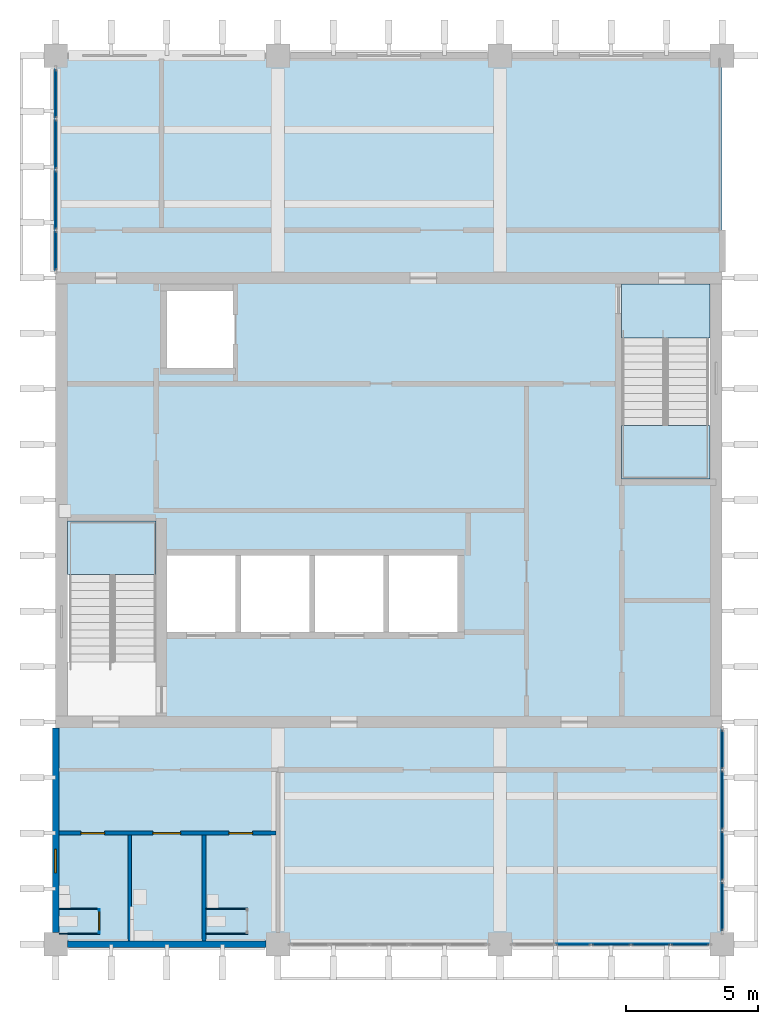
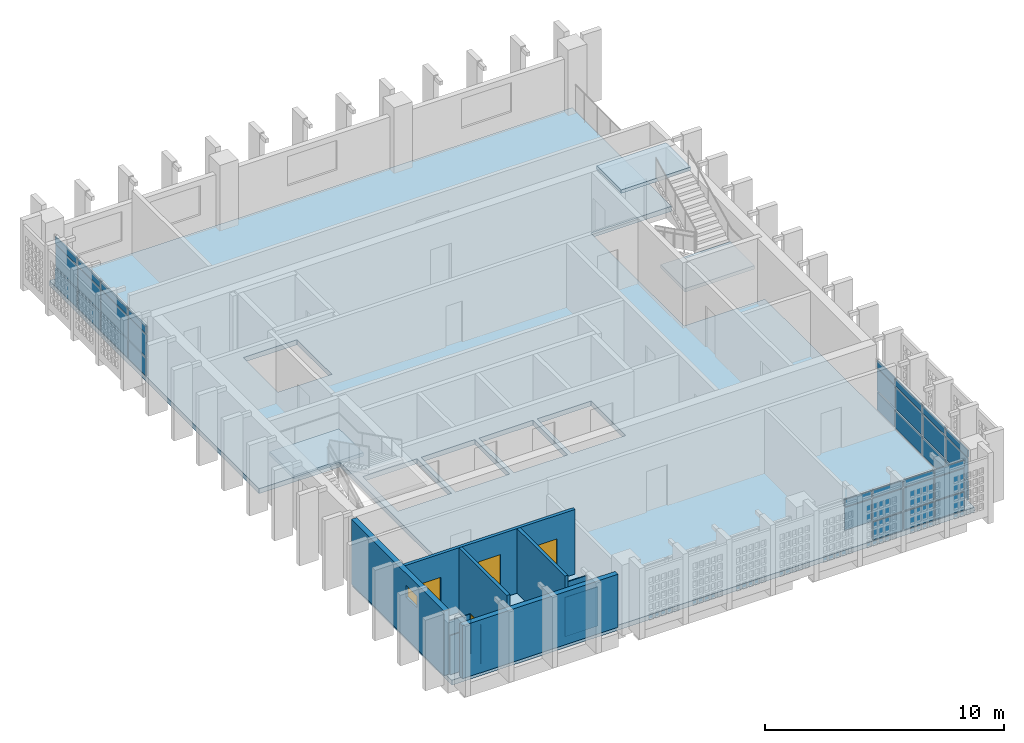
# One storey, part 4 of 13: 35 plates, 10 walls, 4 doors, 4 slabs, 1 window, 5 openings, 5 elements without a shape of their own.
"""IFC4 building model written with IfcOpenShell, lengths in metres."""

from ifc_helpers import new_model, si_unit, direction, frame, frame_2d, origin, origin_2d, place, context, subcontext, project, spatial, polyline, rectangle, outline, extrude, material, layer, layer_set, type_object, element, fill, aggregate, save


model = new_model("IFC4")

# Units and contexts
model_context = context("Model", 3, precision=1e-05, world=origin(), true_north=direction((0.0, 1.0)))
body_context = subcontext(model_context, "Body", "Model", "MODEL_VIEW")
ifc_project = project(units=[si_unit("LENGTHUNIT", "METRE"), si_unit("AREAUNIT", "SQUARE_METRE"), si_unit("VOLUMEUNIT", "CUBIC_METRE"), si_unit("PLANEANGLEUNIT", "RADIAN"), si_unit("MASSUNIT", "GRAM", prefix="KILO")], contexts=[model_context])

# Site, building, storey
site_placement = place(None, origin())
site = spatial("IfcSite", under=ifc_project, at=site_placement, CompositionType="ELEMENT")
building_placement = place(site_placement, origin())
building = spatial("IfcBuilding", under=site, at=building_placement, Name="Rulbaag Community and Learning Centre", CompositionType="ELEMENT")
storey_placement = place(building_placement, frame((0.0, 0.0, 25.199951171875)))
storey = spatial("IfcBuildingStorey", under=building, at=storey_placement, Name="L06", CompositionType="ELEMENT", Elevation=25.199951171875)

# Curtain wall, plates
ifc_material_1 = material(Name="Aluminium", Category="aluminium")
ifc_layer_1 = layer(ifc_material_1, 0.14990234375)
ifc_layer_set_1 = layer_set([ifc_layer_1], Name="CW-S")
curtain_wall_type_1 = type_object("IfcCurtainWallType", Name="CW-S", PredefinedType="USERDEFINED", material=ifc_layer_set_1)
curtain_wall_1_placement = place(storey_placement, origin())
curtain_wall_1 = element("IfcCurtainWall", 1, at=curtain_wall_1_placement, inside=storey, type_object=curtain_wall_type_1, Name="GS-L06-02", ObjectType="UNITISED CURTAIN WALL", PredefinedType="USERDEFINED")
ifc_layer_2 = layer(ifc_material_1, 0.054931640625)
ifc_layer_set_2 = layer_set([ifc_layer_2], Name="CW-S-SPN")
plate_type_1 = type_object("IfcPlateType", Name="CW-S-SPN", PredefinedType="CURTAIN_PANEL", material=ifc_layer_set_2)
plate_1_placement = place(storey_placement, frame((162.375, 84.0, 2.22998046875), z_axis=(0.0, 0.0, 1.0), x_axis=(1.0, 0.0, 0.0)))
plate_1 = element("IfcPlate", 2, at=plate_1_placement, type_object=plate_type_1, Name="GS spandrel panel", PredefinedType="CURTAIN_PANEL", context=body_context, shape_type="SweptSolid", body=[
    extrude(rectangle(XDim=1.2900390625, YDim=0.054931640625, at=origin_2d()), origin(), (0.0, 0.0, 1.0), 0.360107421875),
])
plate_2_placement = place(storey_placement, frame((163.800048828125, 84.0, 0.06005859375), z_axis=(0.0, 0.0, 1.0), x_axis=(1.0, 0.0, 0.0)))
plate_2 = element("IfcPlate", 3, at=plate_2_placement, type_object=plate_type_1, Name="GS spandrel panel", PredefinedType="CURTAIN_PANEL", context=body_context, shape_type="SweptSolid", body=[
    extrude(rectangle(XDim=1.43994140625, YDim=0.054931640625, at=origin_2d()), origin(), (0.0, 0.0, 1.0), 0.909912109375),
])
plate_3_placement = place(storey_placement, frame((163.800048828125, 84.0, 2.22998046875), z_axis=(0.0, 0.0, 1.0), x_axis=(1.0, 0.0, 0.0)))
plate_3 = element("IfcPlate", 4, at=plate_3_placement, type_object=plate_type_1, Name="GS spandrel panel", PredefinedType="CURTAIN_PANEL", context=body_context, shape_type="SweptSolid", body=[
    extrude(rectangle(XDim=1.43994140625, YDim=0.054931640625, at=origin_2d()), origin(), (0.0, 0.0, 1.0), 0.360107421875),
])
plate_4_placement = place(storey_placement, frame((165.300048828125, 84.0, 0.06005859375), z_axis=(0.0, 0.0, 1.0), x_axis=(1.0, 0.0, 0.0)))
plate_4 = element("IfcPlate", 5, at=plate_4_placement, type_object=plate_type_1, Name="GS spandrel panel", PredefinedType="CURTAIN_PANEL", context=body_context, shape_type="SweptSolid", body=[
    extrude(rectangle(XDim=1.43994140625, YDim=0.054931640625, at=origin_2d()), origin(), (0.0, 0.0, 1.0), 0.909912109375),
])
plate_5_placement = place(storey_placement, frame((165.300048828125, 84.0, 2.22998046875), z_axis=(0.0, 0.0, 1.0), x_axis=(1.0, 0.0, 0.0)))
plate_5 = element("IfcPlate", 6, at=plate_5_placement, type_object=plate_type_1, Name="GS spandrel panel", PredefinedType="CURTAIN_PANEL", context=body_context, shape_type="SweptSolid", body=[
    extrude(rectangle(XDim=1.43994140625, YDim=0.054931640625, at=origin_2d()), origin(), (0.0, 0.0, 1.0), 0.360107421875),
])
plate_6_placement = place(storey_placement, frame((166.784912109375, 84.0, 0.06005859375), z_axis=(0.0, 0.0, 1.0), x_axis=(1.0, 0.0, 0.0)))
plate_6 = element("IfcPlate", 7, at=plate_6_placement, type_object=plate_type_1, Name="GS spandrel panel", PredefinedType="CURTAIN_PANEL", context=body_context, shape_type="SweptSolid", body=[
    extrude(rectangle(XDim=1.409912109375, YDim=0.054931640625, at=origin_2d()), origin(), (0.0, 0.0, 1.0), 0.909912109375),
])
plate_7_placement = place(storey_placement, frame((166.784912109375, 84.0, 2.22998046875), z_axis=(0.0, 0.0, 1.0), x_axis=(1.0, 0.0, 0.0)))
plate_7 = element("IfcPlate", 8, at=plate_7_placement, type_object=plate_type_1, Name="GS spandrel panel", PredefinedType="CURTAIN_PANEL", context=body_context, shape_type="SweptSolid", body=[
    extrude(rectangle(XDim=1.409912109375, YDim=0.054931640625, at=origin_2d()), origin(), (0.0, 0.0, 1.0), 0.360107421875),
])
ifc_material_2 = material(Name="Glass", Category="glass")
ifc_layer_3 = layer(ifc_material_2, 0.030029296875)
ifc_layer_set_3 = layer_set([ifc_layer_3], Name="CW-S-VIS")
plate_type_2 = type_object("IfcPlateType", Name="CW-S-VIS", PredefinedType="CURTAIN_PANEL", material=ifc_layer_set_3)
plate_8_placement = place(storey_placement, frame((162.375, 84.0, 1.0302734375), z_axis=(0.0, 0.0, 1.0), x_axis=(1.0, 0.0, 0.0)))
plate_8 = element("IfcPlate", 9, at=plate_8_placement, type_object=plate_type_2, Name="GS vision panel", PredefinedType="CURTAIN_PANEL", context=body_context, shape_type="SweptSolid", body=[
    extrude(rectangle(XDim=1.2900390625, YDim=0.030029296875, at=origin_2d()), origin(), (0.0, 0.0, 1.0), 1.139892578125),
])
plate_9_placement = place(storey_placement, frame((163.800048828125, 84.0, 1.0302734375), z_axis=(0.0, 0.0, 1.0), x_axis=(1.0, 0.0, 0.0)))
plate_9 = element("IfcPlate", 10, at=plate_9_placement, type_object=plate_type_2, Name="GS vision panel", PredefinedType="CURTAIN_PANEL", context=body_context, shape_type="SweptSolid", body=[
    extrude(rectangle(XDim=1.43994140625, YDim=0.030029296875, at=origin_2d()), origin(), (0.0, 0.0, 1.0), 1.139892578125),
])
plate_10_placement = place(storey_placement, frame((165.300048828125, 84.0, 1.0302734375), z_axis=(0.0, 0.0, 1.0), x_axis=(1.0, 0.0, 0.0)))
plate_10 = element("IfcPlate", 11, at=plate_10_placement, type_object=plate_type_2, Name="GS vision panel", PredefinedType="CURTAIN_PANEL", context=body_context, shape_type="SweptSolid", body=[
    extrude(rectangle(XDim=1.43994140625, YDim=0.030029296875, at=origin_2d()), origin(), (0.0, 0.0, 1.0), 1.139892578125),
])
plate_11_placement = place(storey_placement, frame((166.784912109375, 84.0, 1.0302734375), z_axis=(0.0, 0.0, 1.0), x_axis=(1.0, 0.0, 0.0)))
plate_11 = element("IfcPlate", 12, at=plate_11_placement, type_object=plate_type_2, Name="GS vision panel", PredefinedType="CURTAIN_PANEL", context=body_context, shape_type="SweptSolid", body=[
    extrude(rectangle(XDim=1.409912109375, YDim=0.030029296875, at=origin_2d()), origin(), (0.0, 0.0, 1.0), 1.139892578125),
])
aggregate(curtain_wall_1, [plate_8, plate_1, plate_2, plate_9, plate_3, plate_4, plate_10, plate_5, plate_6, plate_11, plate_7])

ifc_layer_4 = layer(ifc_material_1, 0.14990234375)
ifc_layer_set_4 = layer_set([ifc_layer_4], Name="CW-T")
curtain_wall_type_2 = type_object("IfcCurtainWallType", Name="CW-T", PredefinedType="USERDEFINED", material=ifc_layer_set_4)
curtain_wall_2_placement = place(storey_placement, origin())
curtain_wall_2 = element("IfcCurtainWall", 13, at=curtain_wall_2_placement, inside=storey, type_object=curtain_wall_type_2, Name="GT-L06-01", ObjectType="UNITISED CURTAIN WALL", PredefinedType="USERDEFINED")
ifc_layer_5 = layer(ifc_material_1, 0.06005859375)
ifc_layer_set_5 = layer_set([ifc_layer_5], Name="CW-T-SPN")
plate_type_3 = type_object("IfcPlateType", Name="CW-T-SPN", PredefinedType="CURTAIN_PANEL", material=ifc_layer_set_5)
plate_12_placement = place(storey_placement, frame((142.800048828125, 110.228759765625, 0.06494140625), z_axis=(0.0, 0.0, 1.0), x_axis=(0.0, 1.0, 0.0)))
plate_12 = element("IfcPlate", 14, at=plate_12_placement, type_object=plate_type_3, Name="GT spandrel panel", PredefinedType="CURTAIN_PANEL", context=body_context, shape_type="SweptSolid", body=[
    extrude(rectangle(XDim=1.4775390625, YDim=0.06005859375, at=origin_2d()), origin(), (0.0, 0.0, 1.0), 0.902587890625),
])
plate_13_placement = place(storey_placement, frame((142.800048828125, 110.228759765625, 2.232421875), z_axis=(0.0, 0.0, 1.0), x_axis=(0.0, 1.0, 0.0)))
plate_13 = element("IfcPlate", 15, at=plate_13_placement, type_object=plate_type_3, Name="GT spandrel panel", PredefinedType="CURTAIN_PANEL", context=body_context, shape_type="SweptSolid", body=[
    extrude(rectangle(XDim=1.4775390625, YDim=0.06005859375, at=origin_2d()), origin(), (0.0, 0.0, 1.0), 0.3525390625),
])
plate_14_placement = place(storey_placement, frame((142.800048828125, 112.143798828125, 0.06494140625), z_axis=(0.0, 0.0, 1.0), x_axis=(0.0, 1.0, 0.0)))
plate_14 = element("IfcPlate", 16, at=plate_14_placement, type_object=plate_type_3, Name="GT spandrel panel", PredefinedType="CURTAIN_PANEL", context=body_context, shape_type="SweptSolid", body=[
    extrude(rectangle(XDim=2.222412109375, YDim=0.06005859375, at=origin_2d()), origin(), (0.0, 0.0, 1.0), 0.902587890625),
])
plate_15_placement = place(storey_placement, frame((142.800048828125, 112.143798828125, 2.232421875), z_axis=(0.0, 0.0, 1.0), x_axis=(0.0, 1.0, 0.0)))
plate_15 = element("IfcPlate", 17, at=plate_15_placement, type_object=plate_type_3, Name="GT spandrel panel", PredefinedType="CURTAIN_PANEL", context=body_context, shape_type="SweptSolid", body=[
    extrude(rectangle(XDim=2.222412109375, YDim=0.06005859375, at=origin_2d()), origin(), (0.0, 0.0, 1.0), 0.3525390625),
])
plate_16_placement = place(storey_placement, frame((142.800048828125, 114.253173828125, 0.06494140625), z_axis=(0.0, 0.0, 1.0), x_axis=(0.0, 1.0, 0.0)))
plate_16 = element("IfcPlate", 18, at=plate_16_placement, type_object=plate_type_3, Name="GT spandrel panel", PredefinedType="CURTAIN_PANEL", context=body_context, shape_type="SweptSolid", body=[
    extrude(rectangle(XDim=1.8662109375, YDim=0.06005859375, at=origin_2d()), origin(), (0.0, 0.0, 1.0), 0.902587890625),
])
plate_17_placement = place(storey_placement, frame((142.800048828125, 114.253173828125, 2.232421875), z_axis=(0.0, 0.0, 1.0), x_axis=(0.0, 1.0, 0.0)))
plate_17 = element("IfcPlate", 19, at=plate_17_placement, type_object=plate_type_3, Name="GT spandrel panel", PredefinedType="CURTAIN_PANEL", context=body_context, shape_type="SweptSolid", body=[
    extrude(rectangle(XDim=1.8662109375, YDim=0.06005859375, at=origin_2d()), origin(), (0.0, 0.0, 1.0), 0.3525390625),
])
plate_18_placement = place(storey_placement, frame((142.800048828125, 116.168212890625, 0.06494140625), z_axis=(0.0, 0.0, 1.0), x_axis=(0.0, 1.0, 0.0)))
plate_18 = element("IfcPlate", 20, at=plate_18_placement, type_object=plate_type_3, Name="GT spandrel panel", PredefinedType="CURTAIN_PANEL", context=body_context, shape_type="SweptSolid", body=[
    extrude(rectangle(XDim=1.833740234375, YDim=0.06005859375, at=origin_2d()), origin(), (0.0, 0.0, 1.0), 0.902587890625),
])
plate_19_placement = place(storey_placement, frame((142.800048828125, 116.168212890625, 2.232421875), z_axis=(0.0, 0.0, 1.0), x_axis=(0.0, 1.0, 0.0)))
plate_19 = element("IfcPlate", 21, at=plate_19_placement, type_object=plate_type_3, Name="GT spandrel panel", PredefinedType="CURTAIN_PANEL", context=body_context, shape_type="SweptSolid", body=[
    extrude(rectangle(XDim=1.833740234375, YDim=0.06005859375, at=origin_2d()), origin(), (0.0, 0.0, 1.0), 0.3525390625),
])

curtain_wall_3_placement = place(storey_placement, origin())
curtain_wall_3 = element("IfcCurtainWall", 22, at=curtain_wall_3_placement, inside=storey, type_object=curtain_wall_type_2, Name="GT-L06-02", ObjectType="UNITISED CURTAIN WALL", PredefinedType="USERDEFINED")
plate_20_placement = place(storey_placement, frame((168.0, 85.431884765625, 0.06494140625), z_axis=(0.0, 0.0, 1.0), x_axis=(0.0, 1.0, 0.0)))
plate_20 = element("IfcPlate", 23, at=plate_20_placement, type_object=plate_type_3, Name="GT spandrel panel", PredefinedType="CURTAIN_PANEL", context=body_context, shape_type="SweptSolid", body=[
    extrude(rectangle(XDim=1.833740234375, YDim=0.06005859375, at=origin_2d()), origin(), (0.0, 0.0, 1.0), 0.902587890625),
])
plate_21_placement = place(storey_placement, frame((168.0, 85.431884765625, 2.232421875), z_axis=(0.0, 0.0, 1.0), x_axis=(0.0, 1.0, 0.0)))
plate_21 = element("IfcPlate", 24, at=plate_21_placement, type_object=plate_type_3, Name="GT spandrel panel", PredefinedType="CURTAIN_PANEL", context=body_context, shape_type="SweptSolid", body=[
    extrude(rectangle(XDim=1.833740234375, YDim=0.06005859375, at=origin_2d()), origin(), (0.0, 0.0, 1.0), 0.3525390625),
])
plate_22_placement = place(storey_placement, frame((168.0, 87.346923828125, 0.06494140625), z_axis=(0.0, 0.0, 1.0), x_axis=(0.0, 1.0, 0.0)))
plate_22 = element("IfcPlate", 25, at=plate_22_placement, type_object=plate_type_3, Name="GT spandrel panel", PredefinedType="CURTAIN_PANEL", context=body_context, shape_type="SweptSolid", body=[
    extrude(rectangle(XDim=1.8662109375, YDim=0.06005859375, at=origin_2d()), origin(), (0.0, 0.0, 1.0), 0.902587890625),
])
plate_23_placement = place(storey_placement, frame((168.0, 87.346923828125, 2.232421875), z_axis=(0.0, 0.0, 1.0), x_axis=(0.0, 1.0, 0.0)))
plate_23 = element("IfcPlate", 26, at=plate_23_placement, type_object=plate_type_3, Name="GT spandrel panel", PredefinedType="CURTAIN_PANEL", context=body_context, shape_type="SweptSolid", body=[
    extrude(rectangle(XDim=1.8662109375, YDim=0.06005859375, at=origin_2d()), origin(), (0.0, 0.0, 1.0), 0.3525390625),
])
plate_24_placement = place(storey_placement, frame((168.0, 89.456298828125, 0.06494140625), z_axis=(0.0, 0.0, 1.0), x_axis=(0.0, 1.0, 0.0)))
plate_24 = element("IfcPlate", 27, at=plate_24_placement, type_object=plate_type_3, Name="GT spandrel panel", PredefinedType="CURTAIN_PANEL", context=body_context, shape_type="SweptSolid", body=[
    extrude(rectangle(XDim=2.222412109375, YDim=0.06005859375, at=origin_2d()), origin(), (0.0, 0.0, 1.0), 0.902587890625),
])
plate_25_placement = place(storey_placement, frame((168.0, 89.456298828125, 2.232421875), z_axis=(0.0, 0.0, 1.0), x_axis=(0.0, 1.0, 0.0)))
plate_25 = element("IfcPlate", 28, at=plate_25_placement, type_object=plate_type_3, Name="GT spandrel panel", PredefinedType="CURTAIN_PANEL", context=body_context, shape_type="SweptSolid", body=[
    extrude(rectangle(XDim=2.222412109375, YDim=0.06005859375, at=origin_2d()), origin(), (0.0, 0.0, 1.0), 0.3525390625),
])
plate_26_placement = place(storey_placement, frame((168.0, 91.371337890625, 0.06494140625), z_axis=(0.0, 0.0, 1.0), x_axis=(0.0, 1.0, 0.0)))
plate_26 = element("IfcPlate", 29, at=plate_26_placement, type_object=plate_type_3, Name="GT spandrel panel", PredefinedType="CURTAIN_PANEL", context=body_context, shape_type="SweptSolid", body=[
    extrude(rectangle(XDim=1.4775390625, YDim=0.06005859375, at=origin_2d()), origin(), (0.0, 0.0, 1.0), 0.902587890625),
])
plate_27_placement = place(storey_placement, frame((168.0, 91.371337890625, 2.232421875), z_axis=(0.0, 0.0, 1.0), x_axis=(0.0, 1.0, 0.0)))
plate_27 = element("IfcPlate", 30, at=plate_27_placement, type_object=plate_type_3, Name="GT spandrel panel", PredefinedType="CURTAIN_PANEL", context=body_context, shape_type="SweptSolid", body=[
    extrude(rectangle(XDim=1.4775390625, YDim=0.06005859375, at=origin_2d()), origin(), (0.0, 0.0, 1.0), 0.3525390625),
])

# Plate
ifc_layer_6 = layer(ifc_material_2, 0.028076171875)
ifc_layer_set_6 = layer_set([ifc_layer_6], Name="CW-T-VIS")
plate_type_4 = type_object("IfcPlateType", Name="CW-T-VIS", PredefinedType="CURTAIN_PANEL", material=ifc_layer_set_6)
plate_28_placement = place(storey_placement, frame((142.800048828125, 110.228759765625, 1.03271484375), z_axis=(0.0, 0.0, 1.0), x_axis=(0.0, 1.0, 0.0)))
plate_28 = element("IfcPlate", 31, at=plate_28_placement, type_object=plate_type_4, Name="GT vision panel", PredefinedType="CURTAIN_PANEL", context=body_context, shape_type="SweptSolid", body=[
    extrude(rectangle(XDim=1.4775390625, YDim=0.028076171875, at=origin_2d()), origin(), (0.0, 0.0, 1.0), 1.135009765625),
])

plate_29_placement = place(storey_placement, frame((142.800048828125, 112.143798828125, 1.03271484375), z_axis=(0.0, 0.0, 1.0), x_axis=(0.0, 1.0, 0.0)))
plate_29 = element("IfcPlate", 32, at=plate_29_placement, type_object=plate_type_4, Name="GT vision panel", PredefinedType="CURTAIN_PANEL", context=body_context, shape_type="SweptSolid", body=[
    extrude(rectangle(XDim=2.222412109375, YDim=0.028076171875, at=origin_2d()), origin(), (0.0, 0.0, 1.0), 1.135009765625),
])

plate_30_placement = place(storey_placement, frame((142.800048828125, 114.253173828125, 1.03271484375), z_axis=(0.0, 0.0, 1.0), x_axis=(0.0, 1.0, 0.0)))
plate_30 = element("IfcPlate", 33, at=plate_30_placement, type_object=plate_type_4, Name="GT vision panel", PredefinedType="CURTAIN_PANEL", context=body_context, shape_type="SweptSolid", body=[
    extrude(rectangle(XDim=1.8662109375, YDim=0.028076171875, at=origin_2d()), origin(), (0.0, 0.0, 1.0), 1.135009765625),
])

plate_31_placement = place(storey_placement, frame((142.800048828125, 116.168212890625, 1.03271484375), z_axis=(0.0, 0.0, 1.0), x_axis=(0.0, 1.0, 0.0)))
plate_31 = element("IfcPlate", 34, at=plate_31_placement, type_object=plate_type_4, Name="GT vision panel", PredefinedType="CURTAIN_PANEL", context=body_context, shape_type="SweptSolid", body=[
    extrude(rectangle(XDim=1.833740234375, YDim=0.028076171875, at=origin_2d()), origin(), (0.0, 0.0, 1.0), 1.135009765625),
])

aggregate(curtain_wall_2, [plate_12, plate_28, plate_13, plate_14, plate_29, plate_15, plate_16, plate_30, plate_17, plate_18, plate_31, plate_19])

plate_32_placement = place(storey_placement, frame((168.0, 85.431884765625, 1.03271484375), z_axis=(0.0, 0.0, 1.0), x_axis=(0.0, 1.0, 0.0)))
plate_32 = element("IfcPlate", 35, at=plate_32_placement, type_object=plate_type_4, Name="GT vision panel", PredefinedType="CURTAIN_PANEL", context=body_context, shape_type="SweptSolid", body=[
    extrude(rectangle(XDim=1.833740234375, YDim=0.028076171875, at=origin_2d()), origin(), (0.0, 0.0, 1.0), 1.135009765625),
])

plate_33_placement = place(storey_placement, frame((168.0, 87.346923828125, 1.03271484375), z_axis=(0.0, 0.0, 1.0), x_axis=(0.0, 1.0, 0.0)))
plate_33 = element("IfcPlate", 36, at=plate_33_placement, type_object=plate_type_4, Name="GT vision panel", PredefinedType="CURTAIN_PANEL", context=body_context, shape_type="SweptSolid", body=[
    extrude(rectangle(XDim=1.8662109375, YDim=0.028076171875, at=origin_2d()), origin(), (0.0, 0.0, 1.0), 1.135009765625),
])

plate_34_placement = place(storey_placement, frame((168.0, 89.456298828125, 1.03271484375), z_axis=(0.0, 0.0, 1.0), x_axis=(0.0, 1.0, 0.0)))
plate_34 = element("IfcPlate", 37, at=plate_34_placement, type_object=plate_type_4, Name="GT vision panel", PredefinedType="CURTAIN_PANEL", context=body_context, shape_type="SweptSolid", body=[
    extrude(rectangle(XDim=2.222412109375, YDim=0.028076171875, at=origin_2d()), origin(), (0.0, 0.0, 1.0), 1.135009765625),
])

plate_35_placement = place(storey_placement, frame((168.0, 91.371337890625, 1.03271484375), z_axis=(0.0, 0.0, 1.0), x_axis=(0.0, 1.0, 0.0)))
plate_35 = element("IfcPlate", 38, at=plate_35_placement, type_object=plate_type_4, Name="GT vision panel", PredefinedType="CURTAIN_PANEL", context=body_context, shape_type="SweptSolid", body=[
    extrude(rectangle(XDim=1.4775390625, YDim=0.028076171875, at=origin_2d()), origin(), (0.0, 0.0, 1.0), 1.135009765625),
])

aggregate(curtain_wall_3, [plate_20, plate_32, plate_21, plate_22, plate_33, plate_23, plate_24, plate_34, plate_25, plate_26, plate_35, plate_27])

# Stair, slab
ifc_material_3 = material(Name="Concrete M40", Category="concrete")
stair_type = type_object("IfcStairType", Name="ST-1650 STAIR 1650 WIDE", PredefinedType="HALF_TURN_STAIR", material=ifc_material_3)
stair_1_placement = place(storey_placement, origin())
stair_1 = element("IfcStair", 39, at=stair_1_placement, inside=storey, type_object=stair_type, Name="Stair ST1 L06", PredefinedType="HALF_TURN_STAIR")
ifc_layer_7 = layer(ifc_material_3, 0.179931640625)
ifc_layer_set_7 = layer_set([ifc_layer_7], Name="LN-180 LANDING 180 Concrete M40")
slab_type_1 = type_object("IfcSlabType", Name="LN-180 LANDING 180 Concrete M40", PredefinedType="LANDING", material=ifc_layer_set_7)
slab_1_placement = place(storey_placement, frame((0.0, 0.0, 1.6201171875)))
slab_1 = element("IfcSlab", 40, at=slab_1_placement, type_object=slab_type_1, Name="ST1 landing 1", PredefinedType="LANDING", context=body_context, shape_type="SweptSolid", body=[
    extrude(outline(polyline([(143.25, 97.97509765625), (143.25, 100.0), (146.60009765625, 100.0), (146.60009765625, 97.97509765625), (143.25, 97.97509765625)])), origin(), (0.0, 0.0, 1.0), 0.179931640625),
])
aggregate(stair_1, [slab_1])

# Stair, slabs
stair_2_placement = place(storey_placement, origin())
stair_2 = element("IfcStair", 41, at=stair_2_placement, inside=storey, type_object=stair_type, Name="Stair ST2 L06", PredefinedType="HALF_TURN_STAIR")
slab_2_placement = place(storey_placement, frame((0.0, 0.0, 1.6201171875)))
slab_2 = element("IfcSlab", 42, at=slab_2_placement, type_object=slab_type_1, Name="ST2 landing 1", PredefinedType="LANDING", context=body_context, shape_type="SweptSolid", body=[
    extrude(outline(polyline([(164.199951171875, 101.60009765625), (164.199951171875, 103.625), (167.550048828125, 103.625), (167.550048828125, 101.60009765625), (164.199951171875, 101.60009765625)])), origin(), (0.0, 0.0, 1.0), 0.179931640625),
])
slab_3_placement = place(storey_placement, frame((0.0, 0.0, 3.420166015625)))
slab_3 = element("IfcSlab", 43, at=slab_3_placement, type_object=slab_type_1, Name="ST2 landing 2", PredefinedType="LANDING", context=body_context, shape_type="SweptSolid", body=[
    extrude(outline(polyline([(164.199951171875, 106.925048828125), (164.199951171875, 108.97509765625), (167.550048828125, 108.97509765625), (167.550048828125, 106.925048828125), (164.199951171875, 106.925048828125)])), origin(), (0.0, 0.0, 1.0), 0.179931640625),
])
aggregate(stair_2, [slab_2, slab_3])

# Slab
ifc_layer_8 = layer(ifc_material_3, 0.25)
ifc_layer_set_8 = layer_set([ifc_layer_8], Name="S10 Floor slab 250 Concrete M40")
slab_type_2 = type_object("IfcSlabType", Name="S10 Floor slab 250 Concrete M40", PredefinedType="FLOOR", material=ifc_layer_set_8)
slab_4_placement = place(storey_placement, frame((0.0, 0.0, -0.25)))
element("IfcSlab", 44, at=slab_4_placement, inside=storey, type_object=slab_type_2, Name="SL-L06-B01", PredefinedType="FLOOR", context=body_context, shape_type="SweptSolid", body=[
    extrude(outline(polyline([(168.0, 84.0), (142.800048828125, 84.0), (142.800048828125, 92.300048828125), (146.699951171875, 92.300048828125), (146.699951171875, 100.10009765625), (142.800048828125, 100.10009765625), (142.800048828125, 117.60009765625), (168.0, 117.60009765625), (168.0, 109.300048828125), (164.10009765625, 109.300048828125), (164.10009765625, 101.5), (168.0, 101.5), (168.0, 84.0)]), holes=[polyline([(147.0, 98.699951171875), (147.0, 95.800048828125), (149.60009765625, 95.800048828125), (149.60009765625, 98.699951171875), (147.0, 98.699951171875)]), polyline([(149.800048828125, 98.699951171875), (149.800048828125, 95.800048828125), (152.39990234375, 95.800048828125), (152.39990234375, 98.699951171875), (149.800048828125, 98.699951171875)]), polyline([(152.60009765625, 98.699951171875), (152.60009765625, 95.800048828125), (155.199951171875, 95.800048828125), (155.199951171875, 98.699951171875), (152.60009765625, 98.699951171875)]), polyline([(155.39990234375, 98.699951171875), (155.39990234375, 95.800048828125), (158.0, 95.800048828125), (158.0, 98.699951171875), (155.39990234375, 98.699951171875)]), polyline([(147.0, 108.699951171875), (147.0, 105.800048828125), (149.60009765625, 105.800048828125), (149.60009765625, 108.699951171875), (147.0, 108.699951171875)])]), origin(), (0.0, 0.0, 1.0), 0.25),
])

# Walls
ifc_material_4 = material(Name="High pressure laminate", Category="wood")
ifc_layer_9 = layer(ifc_material_4, 0.0400390625)
ifc_layer_set_9 = layer_set([ifc_layer_9], Name="CP-40")
wall_type_1 = type_object("IfcWallType", Name="CP-40", PredefinedType="PARTITIONING", material=ifc_layer_set_9)
wall_1_placement = place(storey_placement, frame((142.929931640625, 84.39990234375, 0.0), z_axis=(0.0, 0.0, 1.0), x_axis=(1.0, 0.0, 0.0)))
element("IfcWall", 45, at=wall_1_placement, inside=storey, type_object=wall_type_1, Name="Cubicle partition", PredefinedType="PARTITIONING", context=body_context, shape_type="SweptSolid", body=[
    extrude(rectangle(XDim=1.5400390625, YDim=0.0400390625, at=frame_2d((0.77001953125, 0.0))), origin(), (0.0, 0.0, 1.0), 2.0),
])
wall_2_placement = place(storey_placement, frame((142.925048828125, 85.340087890625, 0.0), z_axis=(0.0, 0.0, 1.0), x_axis=(1.0, 0.0, 0.0)))
element("IfcWall", 46, at=wall_2_placement, inside=storey, type_object=wall_type_1, Name="Cubicle partition", PredefinedType="PARTITIONING", context=body_context, shape_type="SweptSolid", body=[
    extrude(rectangle(XDim=1.544921875, YDim=0.0400390625, at=frame_2d((0.7724609375, 0.0))), origin(), (0.0, 0.0, 1.0), 2.0),
])

# Wall, opening, door
wall_3_placement = place(storey_placement, frame((144.449951171875, 84.419921875, 0.0), z_axis=(0.0, 0.0, 1.0), x_axis=(0.0, 1.0, 0.0)))
wall_3 = element("IfcWall", 47, at=wall_3_placement, inside=storey, type_object=wall_type_1, Name="Cubicle partition", PredefinedType="PARTITIONING", context=body_context, shape_type="SweptSolid", body=[
    extrude(rectangle(XDim=0.900146484375, YDim=0.0400390625, at=frame_2d((0.4501953125, 0.0))), origin(), (0.0, 0.0, 1.0), 2.0),
])
opening_1_placement = place(wall_3_placement, frame((0.050048828125, 0.0, 0.0)))
opening_1 = element("IfcOpeningElement", 48, at=opening_1_placement, cuts=wall_3, Name="Opening L06-D002", PredefinedType="OPENING", context=body_context, shape_type="SweptSolid", body=[
    extrude(rectangle(XDim=0.800048828125, YDim=2.0, at=frame_2d((0.39990234375, 1.0))), frame((0.0, 0.030029296875, 0.0), z_axis=(0.0, -1.0, 0.0), x_axis=(1.0, 0.0, 0.0)), (0.0, 0.0, 1.0), 0.06005859375),
])
door_type_1 = type_object("IfcDoorType", Name="DC-80", OperationType="SINGLE_SWING_LEFT", PredefinedType="DOOR", material=ifc_material_4)
door_1_placement = place(opening_1_placement, origin())
door_1 = element("IfcDoor", 49, at=door_1_placement, inside=storey, type_object=door_type_1, Name="Cubicle door", OperationType="SINGLE_SWING_LEFT", OverallHeight=2.0, OverallWidth=0.800048828125, PredefinedType="DOOR", context=body_context, shape_type="SweptSolid", body=[
    extrude(rectangle(XDim=0.800048828125, YDim=2.0, at=frame_2d((0.39990234375, 1.0))), frame((0.0, 0.019775390625, 0.0), z_axis=(0.0, -1.0, 0.0), x_axis=(1.0, 0.0, 0.0)), (0.0, 0.0, 1.0), 0.03955078125),
])
fill(opening_1, door_1)

# Walls
for number, where, z_axis, x_axis, name in (
    (50, (148.47509765625, 84.39990234375, 0.0), (0.0, 0.0, 1.0), (1.0, 0.0, 0.0), "Cubicle partition"),
    (51, (148.47509765625, 85.340087890625, 0.0), (0.0, 0.0, 1.0), (1.0, 0.0, 0.0), "Cubicle partition"),
):
    element("IfcWall", number, at=place(storey_placement, frame(where, z_axis=z_axis, x_axis=x_axis)), inside=storey, type_object=wall_type_1, Name=name, PredefinedType="PARTITIONING", context=body_context, shape_type="SweptSolid", body=[
        extrude(rectangle(XDim=1.594970703125, YDim=0.0400390625, at=frame_2d((0.79736328125, 0.0))), origin(), (0.0, 0.0, 1.0), 2.0),
    ])
ifc_layer_10 = layer(ifc_material_3, 0.25)
ifc_layer_set_10 = layer_set([ifc_layer_10], Name="EW-CONC250")
wall_type_2 = type_object("IfcWallType", Name="EW-CONC250", PredefinedType="STANDARD", material=ifc_layer_set_10)
wall_4_placement = place(storey_placement, frame((143.25, 84.0, 0.0), z_axis=(0.0, 0.0, 1.0), x_axis=(1.0, 0.0, 0.0)))
element("IfcWall", 52, at=wall_4_placement, inside=storey, type_object=wall_type_2, Name="Board-marked concrete cladding wall BS", PredefinedType="STANDARD", context=body_context, shape_type="SweptSolid", body=[
    extrude(rectangle(XDim=7.5, YDim=0.25, at=frame_2d((3.75, 0.0))), origin(), (0.0, 0.0, 1.0), 2.699951171875),
])

# Wall, opening, window
wall_5_placement = place(storey_placement, frame((142.800048828125, 84.449951171875, 0.0), z_axis=(0.0, 0.0, 1.0), x_axis=(0.0, 1.0, 0.0)))
wall_5 = element("IfcWall", 53, at=wall_5_placement, inside=storey, type_object=wall_type_2, Name="Board-marked concrete cladding wall BW", PredefinedType="STANDARD", context=body_context, shape_type="SweptSolid", body=[
    extrude(rectangle(XDim=7.72509765625, YDim=0.25, at=frame_2d((3.862548828125, 0.0))), origin(), (0.0, 0.0, 1.0), 3.300048828125),
])
opening_2_placement = place(wall_5_placement, frame((2.25, 0.0, 2.10009765625)))
opening_2 = element("IfcOpeningElement", 54, at=opening_2_placement, cuts=wall_5, Name="Opening WN5", PredefinedType="OPENING", context=body_context, shape_type="SweptSolid", body=[
    extrude(rectangle(XDim=0.89990234375, YDim=0.60009765625, at=frame_2d((0.449951171875, 0.300048828125))), frame((0.0, 0.135009765625, 0.0), z_axis=(0.0, -1.0, 0.0), x_axis=(1.0, 0.0, 0.0)), (0.0, 0.0, 1.0), 0.27001953125),
])
window_type = type_object("IfcWindowType", Name="WK-09", PartitioningType="SINGLE_PANEL", PredefinedType="WINDOW", material=ifc_material_1)
window_placement = place(opening_2_placement, origin())
window = element("IfcWindow", 55, at=window_placement, inside=storey, type_object=window_type, Name="Window WN5", OverallHeight=0.60009765625, OverallWidth=0.89990234375, PartitioningType="SINGLE_PANEL", PredefinedType="WINDOW", context=body_context, shape_type="SweptSolid", body=[
    extrude(rectangle(XDim=0.89990234375, YDim=0.60009765625, at=frame_2d((0.449951171875, 0.300048828125))), frame((0.0, 0.030029296875, 0.0), z_axis=(0.0, -1.0, 0.0), x_axis=(1.0, 0.0, 0.0)), (0.0, 0.0, 1.0), 0.06005859375),
])
fill(opening_2, window)

# Wall, openings, doors
ifc_material_5 = material(Name="Concrete blockwork", Category="masonry")
ifc_layer_11 = layer(ifc_material_5, 0.14990234375)
ifc_layer_set_11 = layer_set([ifc_layer_11], Name="IP-150 PARTITION 150")
wall_type_3 = type_object("IfcWallType", Name="IP-150 PARTITION 150", PredefinedType="PARTITIONING", material=ifc_layer_set_11)
wall_6_placement = place(storey_placement, frame((142.925048828125, 88.199951171875, 0.0), z_axis=(0.0, 0.0, 1.0), x_axis=(1.0, 0.0, 0.0)))
wall_6 = element("IfcWall", 56, at=wall_6_placement, inside=storey, type_object=wall_type_3, Name="Partition L06 1", PredefinedType="PARTITIONING", context=body_context, shape_type="SweptSolid", body=[
    extrude(rectangle(XDim=8.199951171875, YDim=0.14990234375, at=frame_2d((4.10009765625, 0.0))), origin(), (0.0, 0.0, 1.0), 3.300048828125),
])
opening_3_placement = place(wall_6_placement, frame((0.824951171875, 0.0, 0.0)))
opening_3 = element("IfcOpeningElement", 57, at=opening_3_placement, cuts=wall_6, Name="Opening L06-D001", PredefinedType="OPENING", context=body_context, shape_type="SweptSolid", body=[
    extrude(rectangle(XDim=0.89990234375, YDim=2.10009765625, at=frame_2d((0.449951171875, 1.050048828125))), frame((0.0, 0.0849609375, 0.0), z_axis=(0.0, -1.0, 0.0), x_axis=(1.0, 0.0, 0.0)), (0.0, 0.0, 1.0), 0.169921875),
])
opening_4_placement = place(wall_6_placement, frame((3.550048828125, 0.0, 0.0)))
opening_4 = element("IfcOpeningElement", 58, at=opening_4_placement, cuts=wall_6, Name="Opening L06-D008", PredefinedType="OPENING", context=body_context, shape_type="SweptSolid", body=[
    extrude(rectangle(XDim=1.050048828125, YDim=2.25, at=frame_2d((0.52490234375, 1.125))), frame((0.0, 0.0849609375, 0.0), z_axis=(0.0, -1.0, 0.0), x_axis=(1.0, 0.0, 0.0)), (0.0, 0.0, 1.0), 0.169921875),
])
opening_5_placement = place(wall_6_placement, frame((6.425048828125, 0.0, 0.0)))
opening_5 = element("IfcOpeningElement", 59, at=opening_5_placement, cuts=wall_6, Name="Opening L06-D012", PredefinedType="OPENING", context=body_context, shape_type="SweptSolid", body=[
    extrude(rectangle(XDim=0.89990234375, YDim=2.10009765625, at=frame_2d((0.449951171875, 1.050048828125))), frame((0.0, 0.0849609375, 0.0), z_axis=(0.0, -1.0, 0.0), x_axis=(1.0, 0.0, 0.0)), (0.0, 0.0, 1.0), 0.169921875),
])
ifc_material_6 = material(Name="Timber", Category="wood")
door_type_2 = type_object("IfcDoorType", Name="D-1050 ACCESSIBLE TOILET DOOR 1050 x 2250", OperationType="SINGLE_SWING_LEFT", PredefinedType="DOOR", material=ifc_material_6)
door_2_placement = place(opening_4_placement, origin())
door_2 = element("IfcDoor", 60, at=door_2_placement, inside=storey, type_object=door_type_2, Name="Door L06-D008", OperationType="SINGLE_SWING_LEFT", OverallHeight=2.25, OverallWidth=1.050048828125, PredefinedType="DOOR", context=body_context, shape_type="SweptSolid", body=[
    extrude(rectangle(XDim=1.050048828125, YDim=2.25, at=frame_2d((0.52490234375, 1.125))), frame((0.0, 0.02490234375, 0.0), z_axis=(0.0, -1.0, 0.0), x_axis=(1.0, 0.0, 0.0)), (0.0, 0.0, 1.0), 0.050048828125),
])
fill(opening_4, door_2)
door_type_3 = type_object("IfcDoorType", Name="DW-900 TOILET DOOR 900 x 2100", OperationType="SINGLE_SWING_LEFT", PredefinedType="DOOR", material=ifc_material_6)
door_3_placement = place(opening_3_placement, origin())
door_3 = element("IfcDoor", 61, at=door_3_placement, inside=storey, type_object=door_type_3, Name="Door L06-D001", OperationType="SINGLE_SWING_LEFT", OverallHeight=2.10009765625, OverallWidth=0.89990234375, PredefinedType="DOOR", context=body_context, shape_type="SweptSolid", body=[
    extrude(rectangle(XDim=0.89990234375, YDim=2.10009765625, at=frame_2d((0.449951171875, 1.050048828125))), frame((0.0, 0.02490234375, 0.0), z_axis=(0.0, -1.0, 0.0), x_axis=(1.0, 0.0, 0.0)), (0.0, 0.0, 1.0), 0.050048828125),
])
fill(opening_3, door_3)
door_4_placement = place(opening_5_placement, origin())
door_4 = element("IfcDoor", 62, at=door_4_placement, inside=storey, type_object=door_type_3, Name="Door L06-D012", OperationType="SINGLE_SWING_RIGHT", OverallHeight=2.10009765625, OverallWidth=0.89990234375, PredefinedType="DOOR", context=body_context, shape_type="SweptSolid", body=[
    extrude(rectangle(XDim=0.89990234375, YDim=2.10009765625, at=frame_2d((0.449951171875, 1.050048828125))), frame((0.0, 0.02490234375, 0.0), z_axis=(0.0, -1.0, 0.0), x_axis=(1.0, 0.0, 0.0)), (0.0, 0.0, 1.0), 0.050048828125),
])
fill(opening_5, door_4)

# Walls
for number, where, z_axis, x_axis, name in (
    (63, (145.60009765625, 84.125, 0.0), (0.0, 0.0, 1.0), (0.0, 1.0, 0.0), "Partition L06 11"),
    (64, (148.39990234375, 84.125, 0.0), (0.0, 0.0, 1.0), (0.0, 1.0, 0.0), "Partition L06 15"),
):
    element("IfcWall", number, at=place(storey_placement, frame(where, z_axis=z_axis, x_axis=x_axis)), inside=storey, type_object=wall_type_3, Name=name, PredefinedType="PARTITIONING", context=body_context, shape_type="SweptSolid", body=[
        extrude(rectangle(XDim=4.0, YDim=0.14990234375, at=frame_2d((2.0, 0.0))), origin(), (0.0, 0.0, 1.0), 3.300048828125),
    ])

save(model, "model.ifc")
